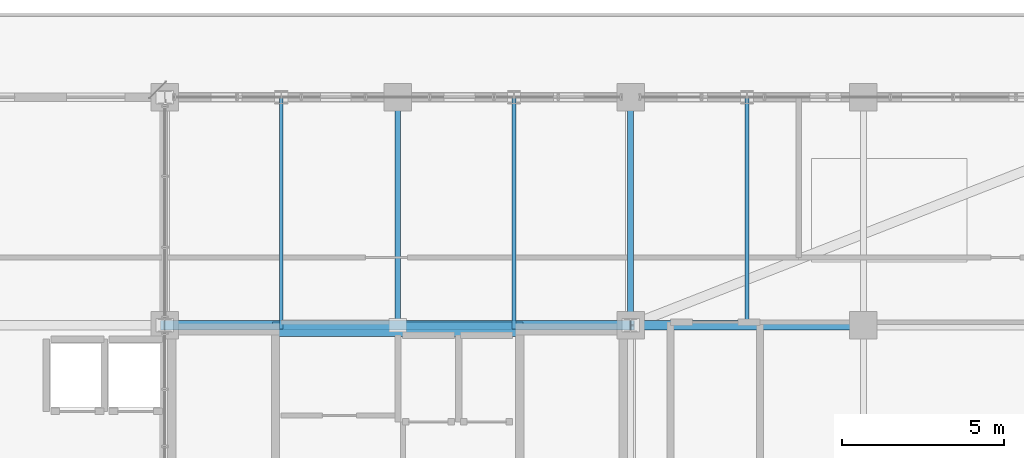
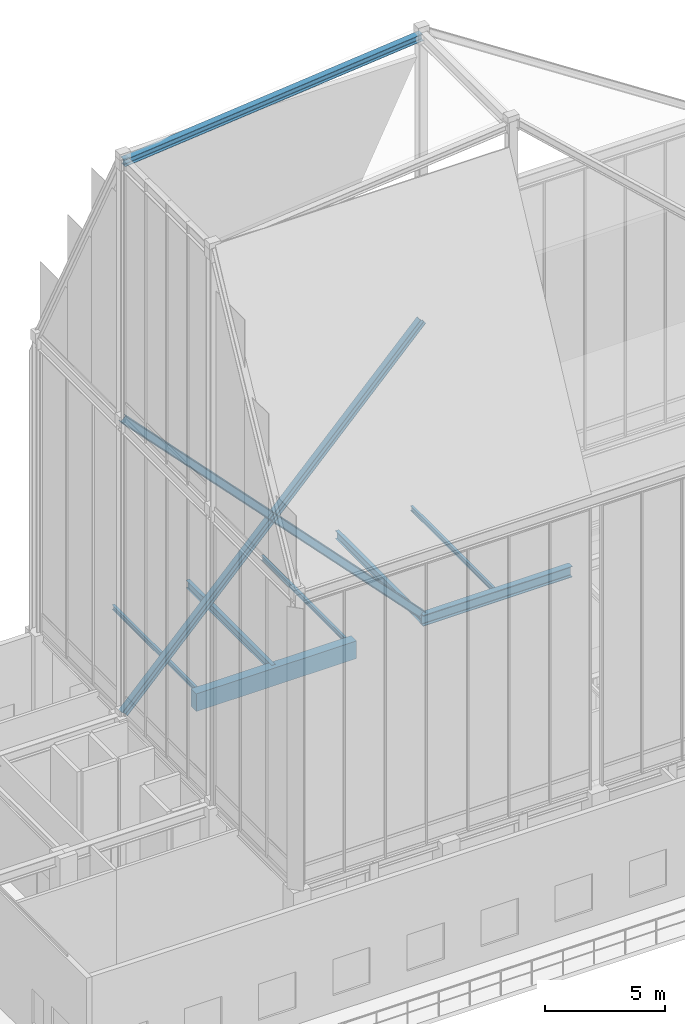
# One storey, part 24 of 49: 7 beams, 4 members.
"""IFC4 building model written with IfcOpenShell, lengths in metres."""

from ifc_helpers import new_model, si_unit, direction, frame, origin, origin_2d, place, context, subcontext, project, spatial, rectangle, i_section, extrude, source, transform, mapped, material, material_profile, profile_set, type_object, element, save


model = new_model("IFC4")

# Units and contexts
model_context = context("Model", 3, precision=1e-05, world=origin(), true_north=direction((0.0, 1.0)))
body_context = subcontext(model_context, "Body", "Model", "MODEL_VIEW")
ifc_project = project(units=[si_unit("LENGTHUNIT", "METRE"), si_unit("AREAUNIT", "SQUARE_METRE"), si_unit("VOLUMEUNIT", "CUBIC_METRE"), si_unit("PLANEANGLEUNIT", "RADIAN"), si_unit("MASSUNIT", "GRAM", prefix="KILO")], contexts=[model_context])

# Site, building, storey
site_placement = place(None, origin())
site = spatial("IfcSite", under=ifc_project, at=site_placement, CompositionType="ELEMENT")
building_placement = place(site_placement, origin())
building = spatial("IfcBuilding", under=site, at=building_placement, Name="Kaliganga Portal Commons", CompositionType="ELEMENT")
storey_placement = place(building_placement, frame((0.0, 0.0, 298.0)))
storey = spatial("IfcBuildingStorey", under=building, at=storey_placement, Name="L77", CompositionType="ELEMENT", Elevation=298.0)

# Beams
ifc_material_1 = material(Name="Concrete C50/60", Category="concrete")
ifc_material_profile_1 = material_profile(ifc_material_1, rectangle(XDim=0.449951171875, YDim=0.89990234375, at=origin_2d()), Name="RC 450x900")
ifc_profile_set_1 = profile_set([ifc_material_profile_1], Name="Concrete C50/60")
beam_type_1 = type_object("IfcBeamType", Name="BM-CPL-900", PredefinedType="LINTEL", material=ifc_profile_set_1)
shared_shape_1 = source(origin(), body_context, "Body", "SweptSolid", [
    extrude(rectangle(XDim=0.449951171875, YDim=0.89990234375, at=origin_2d()), origin(), (0.0, 0.0, 1.0), 7.739990234375),
])
beam_1_placement = place(storey_placement, frame((17.72998046875, 36.02490234375, 5.550048828125), z_axis=(1.0, 0.0, 0.0), x_axis=(0.0, 1.0, 0.0)))
element("IfcBeam", 1, at=beam_1_placement, inside=storey, type_object=beam_type_1, Name="BM CPL COREA L77 N", PredefinedType="LINTEL", context=body_context, shape_type="MappedRepresentation", body=[
    mapped(shared_shape_1, transform((0.0, 0.0, 0.0), x_axis=(1.0, 0.0, 0.0), y_axis=(0.0, 1.0, 0.0), z_axis=(0.0, 0.0, 1.0), scale=1.0)),
])
ifc_material_2 = material(Name="Structural steel S355J2", Category="steel")
ifc_material_profile_2 = material_profile(ifc_material_2, i_section(OverallWidth=0.300048828125, OverallDepth=0.550048828125, WebThickness=0.014892578125, FlangeThickness=0.029052734375, FilletRadius=0.027099609375, at=origin_2d()), Name="HE 550 B")
ifc_profile_set_2 = profile_set([ifc_material_profile_2], Name="Structural steel S355J2 wide-flange")
beam_type_2 = type_object("IfcBeamType", Name="BM-GIRD-550", PredefinedType="USERDEFINED", material=ifc_profile_set_2)
shared_shape_2 = source(origin(), body_context, "Body", "SweptSolid", [
    extrude(i_section(OverallWidth=0.300048828125, OverallDepth=0.550048828125, WebThickness=0.014892578125, FlangeThickness=0.029052734375, FilletRadius=0.027099609375, at=origin_2d()), origin(), (0.0, 0.0, 1.0), 7.199951171875),
])
beam_2_placement = place(storey_placement, frame((28.800048828125, 36.14990234375, 5.72509765625), z_axis=(1.0, 0.0, 0.0), x_axis=(0.0, 1.0, 0.0)))
element("IfcBeam", 2, at=beam_2_placement, inside=storey, type_object=beam_type_2, Name="BM G L77 WAE_N 1", ObjectType="GIRDER", PredefinedType="USERDEFINED", context=body_context, shape_type="MappedRepresentation", body=[
    mapped(shared_shape_2, transform((0.0, 0.0, 0.0), x_axis=(1.0, 0.0, 0.0), y_axis=(0.0, 1.0, 0.0), z_axis=(0.0, 0.0, 1.0), scale=1.0)),
])
ifc_material_profile_3 = material_profile(ifc_material_2, i_section(OverallWidth=0.179931640625, OverallDepth=0.39990234375, WebThickness=0.008544921875, FlangeThickness=0.013427734375, FilletRadius=0.02099609375, at=origin_2d()), Name="IPE 400")
ifc_profile_set_3 = profile_set([ifc_material_profile_3], Name="Structural steel S355J2 wide-flange")
beam_type_3 = type_object("IfcBeamType", Name="BM-FLR-400", PredefinedType="BEAM", material=ifc_profile_set_3)
shared_shape_3 = source(origin(), body_context, "Body", "SweptSolid", [
    extrude(i_section(OverallWidth=0.179931640625, OverallDepth=0.39990234375, WebThickness=0.008544921875, FlangeThickness=0.013427734375, FilletRadius=0.02099609375, at=origin_2d()), origin(), (0.0, 0.0, 1.0), 7.050048828125),
])
beam_3_placement = place(storey_placement, frame((28.800048828125, 36.14990234375, 5.800048828125), z_axis=(0.0, 1.0, 0.0), x_axis=(-1.0, 0.0, 0.0)))
element("IfcBeam", 3, at=beam_3_placement, inside=storey, type_object=beam_type_3, Name="BM G L77 AN288", PredefinedType="BEAM", context=body_context, shape_type="MappedRepresentation", body=[
    mapped(shared_shape_3, transform((0.0, 0.0, 0.0), x_axis=(1.0, 0.0, 0.0), y_axis=(0.0, 1.0, 0.0), z_axis=(0.0, 0.0, 1.0), scale=1.0)),
])
shared_shape_4 = source(origin(), body_context, "Body", "SweptSolid", [
    extrude(i_section(OverallWidth=0.179931640625, OverallDepth=0.39990234375, WebThickness=0.008544921875, FlangeThickness=0.013427734375, FilletRadius=0.02099609375, at=origin_2d()), origin(), (0.0, 0.0, 1.0), 7.175048828125),
])
beam_4_placement = place(storey_placement, frame((21.60009765625, 36.02490234375, 5.800048828125), z_axis=(0.0, 1.0, 0.0), x_axis=(-1.0, 0.0, 0.0)))
element("IfcBeam", 4, at=beam_4_placement, inside=storey, type_object=beam_type_3, Name="BM G L77 AN216", PredefinedType="BEAM", context=body_context, shape_type="MappedRepresentation", body=[
    mapped(shared_shape_4, transform((0.0, 0.0, 0.0), x_axis=(1.0, 0.0, 0.0), y_axis=(0.0, 1.0, 0.0), z_axis=(0.0, 0.0, 1.0), scale=1.0)),
])
ifc_material_profile_4 = material_profile(ifc_material_2, i_section(OverallWidth=0.1201171875, OverallDepth=0.239990234375, WebThickness=0.006103515625, FlangeThickness=0.009765625, FilletRadius=0.014892578125, at=origin_2d()), Name="IPE 240")
ifc_profile_set_4 = profile_set([ifc_material_profile_4], Name="Structural steel S355J2 wide-flange")
beam_type_4 = type_object("IfcBeamType", Name="BM-JST-240", PredefinedType="JOIST", material=ifc_profile_set_4)
shared_shape_5 = source(origin(), body_context, "Body", "SweptSolid", [
    extrude(i_section(OverallWidth=0.1201171875, OverallDepth=0.239990234375, WebThickness=0.006103515625, FlangeThickness=0.009765625, FilletRadius=0.014892578125, at=origin_2d()), origin(), (0.0, 0.0, 1.0), 7.175048828125),
])
for number, where, z_axis, x_axis, name in (
    (5, (18.0, 36.02490234375, 5.8798828125), (0.0, 1.0, 0.0), (-1.0, 0.0, 0.0), "BM G L77 AN180"),
    (6, (25.199951171875, 36.02490234375, 5.8798828125), (0.0, 1.0, 0.0), (-1.0, 0.0, 0.0), "BM G L77 AN252"),
):
    element("IfcBeam", number, at=place(storey_placement, frame(where, z_axis=z_axis, x_axis=x_axis)), inside=storey, type_object=beam_type_4, Name=name, PredefinedType="JOIST", context=body_context, shape_type="MappedRepresentation", body=[
        mapped(shared_shape_5, transform((0.0, 0.0, 0.0), x_axis=(1.0, 0.0, 0.0), y_axis=(0.0, 1.0, 0.0), z_axis=(0.0, 0.0, 1.0), scale=1.0)),
    ])
shared_shape_6 = source(origin(), body_context, "Body", "SweptSolid", [
    extrude(i_section(OverallWidth=0.1201171875, OverallDepth=0.239990234375, WebThickness=0.006103515625, FlangeThickness=0.009765625, FilletRadius=0.014892578125, at=origin_2d()), origin(), (0.0, 0.0, 1.0), 7.050048828125),
])
beam_5_placement = place(storey_placement, frame((32.39990234375, 36.14990234375, 5.8798828125), z_axis=(0.0, 1.0, 0.0), x_axis=(-1.0, 0.0, 0.0)))
element("IfcBeam", 7, at=beam_5_placement, inside=storey, type_object=beam_type_4, Name="BM G L77 AN324", PredefinedType="JOIST", context=body_context, shape_type="MappedRepresentation", body=[
    mapped(shared_shape_6, transform((0.0, 0.0, 0.0), x_axis=(1.0, 0.0, 0.0), y_axis=(0.0, 1.0, 0.0), z_axis=(0.0, 0.0, 1.0), scale=1.0)),
])

# Members
ifc_material_3 = material(Name="Structural steel S460M", Category="steel")
ifc_material_profile_5 = material_profile(ifc_material_3, i_section(OverallWidth=0.300048828125, OverallDepth=0.360107421875, WebThickness=0.012451171875, FlangeThickness=0.0224609375, FilletRadius=0.027099609375, at=origin_2d()), Name="HE 360 B")
ifc_profile_set_5 = profile_set([ifc_material_profile_5], Name="Structural steel S460M wide-flange")
member_type = type_object("IfcMemberType", Name="MBR-CROWN-DIAG", PredefinedType="BRACE", material=ifc_profile_set_5)
shared_shape_7 = source(origin(), body_context, "Body", "SweptSolid", [
    extrude(i_section(OverallWidth=0.300048828125, OverallDepth=0.360107421875, WebThickness=0.012451171875, FlangeThickness=0.0224609375, FilletRadius=0.027099609375, at=origin_2d()), origin(), (0.0, 0.0, 1.0), 20.79345703125),
])
member_1_placement = place(storey_placement, frame((14.39990234375, 36.14990234375, 6.0), z_axis=(0.692535494273, 0.0, 0.721383801573), x_axis=(0.0, 1.0, 0.0)))
element("IfcMember", 8, at=member_1_placement, inside=storey, type_object=member_type, Name="Crown Frame Diagrid Brace CRD-07", PredefinedType="BRACE", context=body_context, shape_type="MappedRepresentation", body=[
    mapped(shared_shape_7, transform((0.0, 0.0, 0.0), x_axis=(1.0, 0.0, 0.0), y_axis=(0.0, 1.0, 0.0), z_axis=(0.0, 0.0, 1.0), scale=1.0)),
])
shared_shape_8 = source(origin(), body_context, "Body", "SweptSolid", [
    extrude(i_section(OverallWidth=0.300048828125, OverallDepth=0.360107421875, WebThickness=0.012451171875, FlangeThickness=0.0224609375, FilletRadius=0.027099609375, at=origin_2d()), origin(), (0.0, 0.0, 1.0), 10.396484375),
])
member_2_placement = place(storey_placement, frame((28.800048828125, 36.14990234375, 6.0), z_axis=(-0.692529384104, 0.0, 0.721389667345), x_axis=(0.0, -1.0, 0.0)))
element("IfcMember", 9, at=member_2_placement, inside=storey, type_object=member_type, Name="Crown Frame Diagrid Brace CRD-08A", PredefinedType="BRACE", context=body_context, shape_type="MappedRepresentation", body=[
    mapped(shared_shape_8, transform((0.0, 0.0, 0.0), x_axis=(1.0, 0.0, 0.0), y_axis=(0.0, 1.0, 0.0), z_axis=(0.0, 0.0, 1.0), scale=1.0)),
])
shared_shape_9 = source(origin(), body_context, "Body", "SweptSolid", [
    extrude(i_section(OverallWidth=0.300048828125, OverallDepth=0.360107421875, WebThickness=0.012451171875, FlangeThickness=0.0224609375, FilletRadius=0.027099609375, at=origin_2d()), origin(), (0.0, 0.0, 1.0), 10.396728515625),
])
member_3_placement = place(storey_placement, frame((21.60009765625, 36.14990234375, 13.5), z_axis=(-0.692541604294, 0.0, 0.721377935844), x_axis=(0.0, -1.0, 0.0)))
element("IfcMember", 10, at=member_3_placement, inside=storey, type_object=member_type, Name="Crown Frame Diagrid Brace CRD-08B", PredefinedType="BRACE", context=body_context, shape_type="MappedRepresentation", body=[
    mapped(shared_shape_9, transform((0.0, 0.0, 0.0), x_axis=(1.0, 0.0, 0.0), y_axis=(0.0, 1.0, 0.0), z_axis=(0.0, 0.0, 1.0), scale=1.0)),
])
shared_shape_10 = source(origin(), body_context, "Body", "SweptSolid", [
    extrude(i_section(OverallWidth=0.300048828125, OverallDepth=0.360107421875, WebThickness=0.012451171875, FlangeThickness=0.0224609375, FilletRadius=0.027099609375, at=origin_2d()), origin(), (0.0, 0.0, 1.0), 14.468017578125),
])
member_4_placement = place(storey_placement, frame((14.39990234375, 36.14990234375, 34.110107421875), z_axis=(0.995307906627, 0.0, 0.096758312337), x_axis=(0.0, 1.0, 0.0)))
element("IfcMember", 11, at=member_4_placement, inside=storey, type_object=member_type, Name="Crown Frame Diagrid Brace CRD-09N", PredefinedType="BRACE", context=body_context, shape_type="MappedRepresentation", body=[
    mapped(shared_shape_10, transform((0.0, 0.0, 0.0), x_axis=(1.0, 0.0, 0.0), y_axis=(0.0, 1.0, 0.0), z_axis=(0.0, 0.0, 1.0), scale=1.0)),
])

save(model, "model.ifc")
